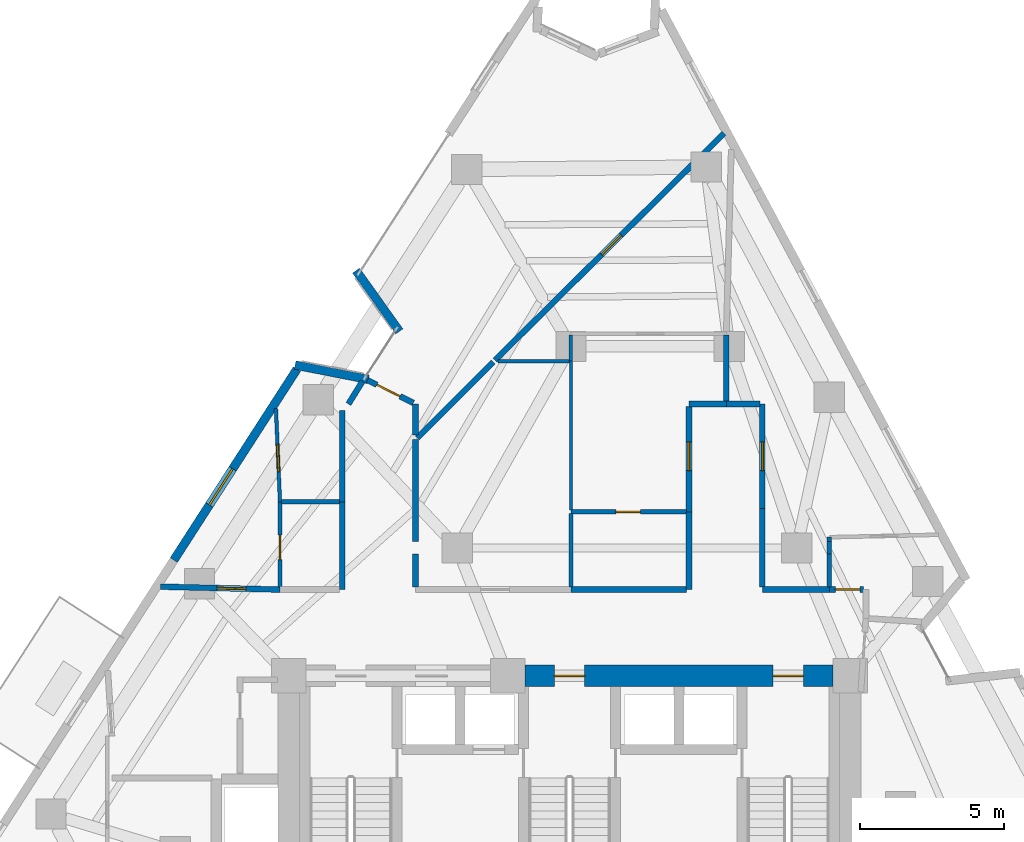
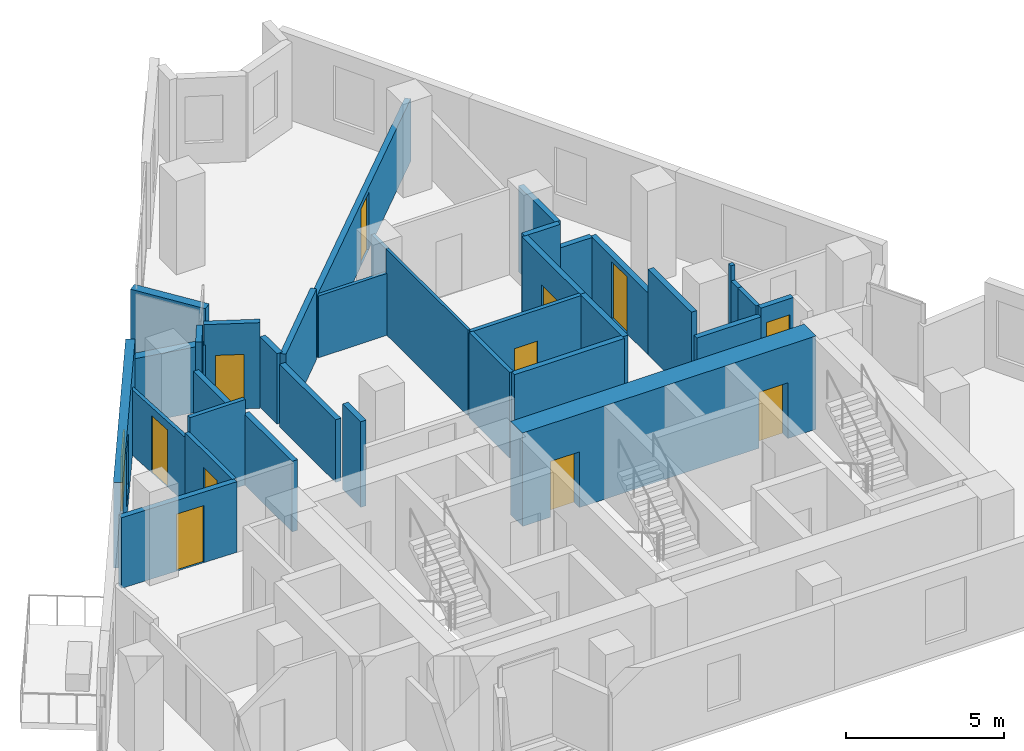
# One storey, part 7 of 11: 35 walls, 11 doors, 1 window, 12 openings.
"""IFC4 building model written with IfcOpenShell, lengths in metres."""

from ifc_helpers import new_model, si_unit, direction, frame, frame_2d, origin, place, context, subcontext, project, spatial, rectangle, extrude, material, layer, layer_set, type_object, element, fill, save


model = new_model("IFC4")

# Units and contexts
model_context = context("Model", 3, precision=1e-05, world=origin(), true_north=direction((0.0, 1.0)))
body_context = subcontext(model_context, "Body", "Model", "MODEL_VIEW")
ifc_project = project(units=[si_unit("LENGTHUNIT", "METRE"), si_unit("AREAUNIT", "SQUARE_METRE"), si_unit("VOLUMEUNIT", "CUBIC_METRE"), si_unit("PLANEANGLEUNIT", "RADIAN"), si_unit("MASSUNIT", "GRAM", prefix="KILO")], contexts=[model_context])

# Site, building, storey
site_placement = place(None, origin())
site = spatial("IfcSite", under=ifc_project, at=site_placement, CompositionType="ELEMENT")
building_placement = place(site_placement, origin())
building = spatial("IfcBuilding", under=site, at=building_placement, Name="Almagre Mirador Tower", CompositionType="ELEMENT")
storey_placement = place(building_placement, frame((0.0, 0.0, 193.199951171875)))
storey = spatial("IfcBuildingStorey", under=building, at=storey_placement, Name="L50", CompositionType="ELEMENT", Elevation=193.199951171875)

# Walls
ifc_material_1 = material(Name="Precast concrete C50/60", Category="concrete")
ifc_layer_1 = layer(ifc_material_1, 0.300048828125)
ifc_layer_set_1 = layer_set([ifc_layer_1], Name="Precast concrete C50/60")
wall_type_1 = type_object("IfcWallType", Name="WAL-EXT-300", PredefinedType="SOLIDWALL", material=ifc_layer_set_1)
wall_1_placement = place(storey_placement, frame((27.7666015625, 25.554931640625, 0.0), z_axis=(0.0, 0.0, 1.0), x_axis=(0.981183938234, -0.193075320412, 0.0)))
element("IfcWall", 1, at=wall_1_placement, inside=storey, type_object=wall_type_1, Name="L50 expressed almagre precast frame wall 01", PredefinedType="SOLIDWALL", context=body_context, shape_type="SweptSolid", body=[
    extrude(rectangle(XDim=2.5947265625, YDim=0.300048828125, at=frame_2d((1.29736328125, 0.0))), origin(), (0.0, 0.0, 1.0), 2.525146484375),
])
wall_2_placement = place(storey_placement, frame((31.38818359375, 26.722900390625, 0.0), z_axis=(0.0, 0.0, 1.0), x_axis=(-0.580409797139, 0.814324546716, 0.0)))
element("IfcWall", 2, at=wall_2_placement, inside=storey, type_object=wall_type_1, Name="L50 expressed almagre precast frame wall 02", PredefinedType="SOLIDWALL", context=body_context, shape_type="SweptSolid", body=[
    extrude(rectangle(XDim=2.59375, YDim=0.300048828125, at=frame_2d((1.296875, 0.0))), origin(), (0.0, 0.0, 1.0), 2.525146484375),
])

# Wall, opening, window
wall_3_placement = place(storey_placement, frame((23.550537109375, 18.7783203125, 0.0), z_axis=(0.0, 0.0, 1.0), x_axis=(0.542022645608, 0.840363880499, 0.0)))
wall_3 = element("IfcWall", 3, at=wall_3_placement, inside=storey, type_object=wall_type_1, Name="L50 expressed almagre precast frame wall 32", PredefinedType="SOLIDWALL", context=body_context, shape_type="SweptSolid", body=[
    extrude(rectangle(XDim=7.89697265625, YDim=0.300048828125, at=frame_2d((3.948486328125, 0.0))), origin(), (0.0, 0.0, 1.0), 3.300048828125),
])
opening_1_placement = place(wall_3_placement, frame((2.27490234375, 0.0, 0.60009765625)))
opening_1 = element("IfcOpeningElement", 4, at=opening_1_placement, cuts=wall_3, Name="Opening WN-03", PredefinedType="OPENING", context=body_context, shape_type="SweptSolid", body=[
    extrude(rectangle(XDim=1.5, YDim=2.10009765625, at=frame_2d((0.75, 1.050048828125))), frame((0.0, 0.159902, 0.0), z_axis=(0.0, -1.0, 0.0), x_axis=(1.0, 0.0, 0.0)), (0.0, 0.0, 1.0), 0.320049),
])
ifc_material_2 = material(Name="Dark solar-control laminated hurricane glass", Category="glass")
window_type = type_object("IfcWindowType", Name="WIN-1500X2100", PartitioningType="DOUBLE_PANEL_VERTICAL", PredefinedType="WINDOW", material=ifc_material_2)
window_placement = place(opening_1_placement, origin())
window = element("IfcWindow", 5, at=window_placement, inside=storey, type_object=window_type, Name="L50 recessed hurricane window L50-UD-ST", OverallHeight=2.10009765625, OverallWidth=1.5, PartitioningType="SINGLE_PANEL", PredefinedType="WINDOW", context=body_context, shape_type="SweptSolid", body=[
    extrude(rectangle(XDim=1.5, YDim=2.10009765625, at=frame_2d((0.75, 1.050048828125))), frame((0.0, 0.030029296875, 0.0), z_axis=(0.0, -1.0, 0.0), x_axis=(1.0, 0.0, 0.0)), (0.0, 0.0, 1.0), 0.06005859375),
])
fill(opening_1, window)

# Wall
ifc_material_3 = material(Name="Gypsum acoustic stud partition", Category="other")
ifc_layer_2 = layer(ifc_material_3, 0.10009765625)
ifc_layer_set_2 = layer_set([ifc_layer_2], Name="Gypsum acoustic stud partition")
wall_type_2 = type_object("IfcWallType", Name="WAL-PRT-100-CLS", PredefinedType="PARTITIONING", material=ifc_layer_set_2)
wall_4_placement = place(storey_placement, frame((37.35009765625, 25.68994140625, 0.0), z_axis=(0.0, 0.0, 1.0), x_axis=(0.0, -1.0, 0.0)))
element("IfcWall", 6, at=wall_4_placement, inside=storey, type_object=wall_type_2, Name="L50 interior partition 044", PredefinedType="PARTITIONING", context=body_context, shape_type="SweptSolid", body=[
    extrude(rectangle(XDim=5.179931640625, YDim=0.10009765625, at=frame_2d((2.58984375, 0.0))), origin(), (0.0, 0.0, 1.0), 3.300048828125),
])

# Wall, opening, door
ifc_material_4 = material(Name="Gypsum acoustic stud partition", Category="other")
ifc_layer_3 = layer(ifc_material_4, 0.125)
ifc_layer_set_3 = layer_set([ifc_layer_3], Name="Gypsum acoustic stud partition")
wall_type_3 = type_object("IfcWallType", Name="WAL-PRT-125-UTL", PredefinedType="PARTITIONING", material=ifc_layer_set_3)
wall_5_placement = place(storey_placement, frame((27.239990234375, 20.800048828125, 0.0), z_axis=(0.0, 0.0, 1.0), x_axis=(-0.043463375339, 0.999055021009, 0.0)))
wall_5 = element("IfcWall", 7, at=wall_5_placement, inside=storey, type_object=wall_type_3, Name="L50 interior partition 039", PredefinedType="PARTITIONING", context=body_context, shape_type="SweptSolid", body=[
    extrude(rectangle(XDim=3.2412109375, YDim=0.125, at=frame_2d((1.62060546875, 0.0))), origin(), (0.0, 0.0, 1.0), 2.52001953125),
])
opening_2_placement = place(wall_5_placement, frame((1.052490234375, 0.0, 0.0)))
opening_2 = element("IfcOpeningElement", 8, at=opening_2_placement, cuts=wall_5, Name="Opening UD-01", PredefinedType="OPENING", context=body_context, shape_type="SweptSolid", body=[
    extrude(rectangle(XDim=0.949951171875, YDim=2.199951171875, at=frame_2d((0.47509765625, 1.10009765625))), frame((0.0, 0.0725, 0.0), z_axis=(0.0, -1.0, 0.0), x_axis=(1.0, 0.0, 0.0)), (0.0, 0.0, 1.0), 0.145),
])
ifc_material_5 = material(Name="Solid American walnut timber", Category="wood")
door_type_1 = type_object("IfcDoorType", Name="DOR-UNR-950X2200", OperationType="NOTDEFINED", PredefinedType="DOOR", material=ifc_material_5)
door_1_placement = place(opening_2_placement, origin())
door_1 = element("IfcDoor", 9, at=door_1_placement, inside=storey, type_object=door_type_1, Name="DR-1579 L50 interior door L50-UD-ST to L50-UD-KT", OperationType="SINGLE_SWING_LEFT", OverallHeight=2.199951171875, OverallWidth=0.949951171875, PredefinedType="DOOR", context=body_context, shape_type="SweptSolid", body=[
    extrude(rectangle(XDim=0.949951171875, YDim=2.199951171875, at=frame_2d((0.47509765625, 1.10009765625))), frame((0.0, 0.02490234375, 0.0), z_axis=(0.0, -1.0, 0.0), x_axis=(1.0, 0.0, 0.0)), (0.0, 0.0, 1.0), 0.050048828125),
])
fill(opening_2, door_1)

# Walls
wall_6_placement = place(storey_placement, frame((37.35009765625, 26.592529296875, 0.0), z_axis=(0.0, 0.0, 1.0), x_axis=(0.0, -1.0, 0.0)))
element("IfcWall", 10, at=wall_6_placement, inside=storey, type_object=wall_type_3, Name="L50 interior partition 043", PredefinedType="PARTITIONING", context=body_context, shape_type="SweptSolid", body=[
    extrude(rectangle(XDim=0.902587890625, YDim=0.125, at=frame_2d((0.451171875, 0.0))), origin(), (0.0, 0.0, 1.0), 3.300048828125),
])
wall_7_placement = place(storey_placement, frame((34.81005859375, 25.68994140625, 0.0), z_axis=(0.0, 0.0, 1.0), x_axis=(1.0, 0.0, 0.0)))
element("IfcWall", 11, at=wall_7_placement, inside=storey, type_object=wall_type_3, Name="L50 interior partition 047", PredefinedType="PARTITIONING", context=body_context, shape_type="SweptSolid", body=[
    extrude(rectangle(XDim=2.492431640625, YDim=0.125, at=frame_2d((1.24609375, 0.0))), origin(), (0.0, 0.0, 1.0), 2.385986328125),
])

# Wall, opening, door
ifc_material_6 = material(Name="Gypsum acoustic stud partition", Category="other")
ifc_layer_4 = layer(ifc_material_6, 0.14990234375)
ifc_layer_set_4 = layer_set([ifc_layer_4], Name="Gypsum acoustic stud partition")
wall_type_4 = type_object("IfcWallType", Name="WAL-PRT-150-STD", PredefinedType="PARTITIONING", material=ifc_layer_set_4)
wall_8_placement = place(storey_placement, frame((27.239990234375, 17.8349609375, 0.0), z_axis=(0.0, 0.0, 1.0), x_axis=(0.0, 1.0, 0.0)))
wall_8 = element("IfcWall", 12, at=wall_8_placement, inside=storey, type_object=wall_type_4, Name="L50 interior partition 038", PredefinedType="PARTITIONING", context=body_context, shape_type="SweptSolid", body=[
    extrude(rectangle(XDim=2.965087890625, YDim=0.14990234375, at=frame_2d((1.482421875, 0.0))), origin(), (0.0, 0.0, 1.0), 2.720947265625),
])
opening_3_placement = place(wall_8_placement, frame((0.95849609375, 0.0, 0.0)))
opening_3 = element("IfcOpeningElement", 13, at=opening_3_placement, cuts=wall_8, Name="Opening UD-04", PredefinedType="OPENING", context=body_context, shape_type="SweptSolid", body=[
    extrude(rectangle(XDim=0.85009765625, YDim=2.10009765625, at=frame_2d((0.425048828125, 1.050048828125))), frame((0.0, 0.084951, 0.0), z_axis=(0.0, -1.0, 0.0), x_axis=(1.0, 0.0, 0.0)), (0.0, 0.0, 1.0), 0.169902),
])
ifc_material_7 = material(Name="Moisture-resistant oak timber", Category="wood")
door_type_2 = type_object("IfcDoorType", Name="DOR-UNR-850X2100", OperationType="NOTDEFINED", PredefinedType="DOOR", material=ifc_material_7)
door_2_placement = place(opening_3_placement, origin())
door_2 = element("IfcDoor", 14, at=door_2_placement, inside=storey, type_object=door_type_2, Name="DR-1580 L50 interior door L50-UD-ST to L50-UD-BT", OperationType="SINGLE_SWING_RIGHT", OverallHeight=2.10009765625, OverallWidth=0.85009765625, PredefinedType="DOOR", context=body_context, shape_type="SweptSolid", body=[
    extrude(rectangle(XDim=0.85009765625, YDim=2.10009765625, at=frame_2d((0.425048828125, 1.050048828125))), frame((0.0, 0.02490234375, 0.0), z_axis=(0.0, -1.0, 0.0), x_axis=(1.0, 0.0, 0.0)), (0.0, 0.0, 1.0), 0.050048828125),
])
fill(opening_3, door_2)

# Wall
wall_9_placement = place(storey_placement, frame((29.31494140625, 20.800048828125, 0.0), z_axis=(0.0, 0.0, 1.0), x_axis=(-1.0, 0.0, 0.0)))
element("IfcWall", 15, at=wall_9_placement, inside=storey, type_object=wall_type_4, Name="L50 interior partition 040", PredefinedType="PARTITIONING", context=body_context, shape_type="SweptSolid", body=[
    extrude(rectangle(XDim=2.014892578125, YDim=0.14990234375, at=frame_2d((1.00732421875, 0.0))), origin(), (0.0, 0.0, 1.0), 3.300048828125),
])

# Wall, opening, door
wall_10_placement = place(storey_placement, frame((37.35009765625, 20.449951171875, 0.0), z_axis=(0.0, 0.0, 1.0), x_axis=(1.0, 0.0, 0.0)))
wall_10 = element("IfcWall", 16, at=wall_10_placement, inside=storey, type_object=wall_type_4, Name="L50 interior partition 041", PredefinedType="PARTITIONING", context=body_context, shape_type="SweptSolid", body=[
    extrude(rectangle(XDim=4.014892578125, YDim=0.14990234375, at=frame_2d((2.00732421875, 0.0))), origin(), (0.0, 0.0, 1.0), 3.300048828125),
])
opening_4_placement = place(wall_10_placement, frame((1.565673828125, 0.0, 0.0)))
opening_4 = element("IfcOpeningElement", 17, at=opening_4_placement, cuts=wall_10, Name="Opening UD-04", PredefinedType="OPENING", context=body_context, shape_type="SweptSolid", body=[
    extrude(rectangle(XDim=0.85009765625, YDim=2.10009765625, at=frame_2d((0.425048828125, 1.050048828125))), frame((0.0, 0.084951, 0.0), z_axis=(0.0, -1.0, 0.0), x_axis=(1.0, 0.0, 0.0)), (0.0, 0.0, 1.0), 0.169902),
])
door_3_placement = place(opening_4_placement, origin())
door_3 = element("IfcDoor", 18, at=door_3_placement, inside=storey, type_object=door_type_2, Name="DR-1583 L50 interior door L50-UE-ST to L50-UE-HB", OperationType="SINGLE_SWING_LEFT", OverallHeight=2.10009765625, OverallWidth=0.85009765625, PredefinedType="DOOR", context=body_context, shape_type="SweptSolid", body=[
    extrude(rectangle(XDim=0.85009765625, YDim=2.10009765625, at=frame_2d((0.425048828125, 1.050048828125))), frame((0.0, 0.02490234375, 0.0), z_axis=(0.0, -1.0, 0.0), x_axis=(1.0, 0.0, 0.0)), (0.0, 0.0, 1.0), 0.050048828125),
])
fill(opening_4, door_3)

# Walls
wall_11_placement = place(storey_placement, frame((37.35009765625, 20.389892578125, 0.0), z_axis=(0.0, 0.0, 1.0), x_axis=(0.0, -1.0, 0.0)))
element("IfcWall", 19, at=wall_11_placement, inside=storey, type_object=wall_type_4, Name="L50 interior partition 046", PredefinedType="PARTITIONING", context=body_context, shape_type="SweptSolid", body=[
    extrude(rectangle(XDim=2.554931640625, YDim=0.14990234375, at=frame_2d((1.27734375, 0.0))), origin(), (0.0, 0.0, 1.0), 3.300048828125),
])
wall_12_placement = place(storey_placement, frame((46.330078125, 18.97998046875, 0.0), z_axis=(0.0, 0.0, 1.0), x_axis=(0.0, -1.0, 0.0)))
element("IfcWall", 20, at=wall_12_placement, inside=storey, type_object=wall_type_4, Name="L50 interior partition 054", PredefinedType="PARTITIONING", context=body_context, shape_type="SweptSolid", body=[
    extrude(rectangle(XDim=1.14501953125, YDim=0.14990234375, at=frame_2d((0.572509765625, 0.0))), origin(), (0.0, 0.0, 1.0), 2.720947265625),
])
wall_13_placement = place(storey_placement, frame((46.330078125, 19.570068359375, 0.0), z_axis=(0.0, 0.0, 1.0), x_axis=(0.0, -1.0, 0.0)))
element("IfcWall", 21, at=wall_13_placement, inside=storey, type_object=wall_type_4, Name="L50 interior partition 055", PredefinedType="PARTITIONING", context=body_context, shape_type="SweptSolid", body=[
    extrude(rectangle(XDim=0.150146484375, YDim=0.14990234375, at=frame_2d((0.0751953125, 0.0))), origin(), (0.0, 0.0, 1.0), 3.300048828125),
])
wall_14_placement = place(storey_placement, frame((46.330078125, 19.419921875, 0.0), z_axis=(0.0, 0.0, 1.0), x_axis=(0.0, -1.0, 0.0)))
element("IfcWall", 22, at=wall_14_placement, inside=storey, type_object=wall_type_4, Name="L50 interior partition 058", PredefinedType="PARTITIONING", context=body_context, shape_type="SweptSolid", body=[
    extrude(rectangle(XDim=0.43994140625, YDim=0.14990234375, at=frame_2d((0.219970703125, 0.0))), origin(), (0.0, 0.0, 1.0), 2.720947265625),
])

# Wall, opening, door
ifc_material_8 = material(Name="Gypsum acoustic stud partition", Category="other")
ifc_layer_5 = layer(ifc_material_8, 0.199951171875)
ifc_layer_set_5 = layer_set([ifc_layer_5], Name="Gypsum acoustic stud partition")
wall_type_5 = type_object("IfcWallType", Name="WAL-PRT-200-EI60", PredefinedType="PARTITIONING", material=ifc_layer_set_5)
wall_15_placement = place(storey_placement, frame((27.239990234375, 17.75, 0.0), z_axis=(0.0, 0.0, 1.0), x_axis=(-0.999703110384, 0.024365776975, 0.0)))
wall_15 = element("IfcWall", 23, at=wall_15_placement, inside=storey, type_object=wall_type_5, Name="L50 interior partition 005", PredefinedType="PARTITIONING", context=body_context, shape_type="SweptSolid", body=[
    extrude(rectangle(XDim=4.148193359375, YDim=0.199951171875, at=frame_2d((2.07421875, 0.0))), origin(), (0.0, 0.0, 1.0), 2.720947265625),
])
opening_5_placement = place(wall_15_placement, frame((1.186279296875, 0.0, 0.0)))
opening_5 = element("IfcOpeningElement", 24, at=opening_5_placement, cuts=wall_15, Name="Opening ID-01", PredefinedType="OPENING", context=body_context, shape_type="SweptSolid", body=[
    extrude(rectangle(XDim=1.0, YDim=2.199951171875, at=frame_2d((0.5, 1.10009765625))), frame((0.0, 0.110098, 0.0), z_axis=(0.0, -1.0, 0.0), x_axis=(1.0, 0.0, 0.0)), (0.0, 0.0, 1.0), 0.219951),
])
ifc_material_9 = material(Name="Fire-rated walnut timber", Category="wood")
door_type_3 = type_object("IfcDoorType", Name="DOR-FD60-1000X2200", OperationType="NOTDEFINED", PredefinedType="DOOR", material=ifc_material_9)
door_4_placement = place(opening_5_placement, origin())
door_4 = element("IfcDoor", 25, at=door_4_placement, inside=storey, type_object=door_type_3, Name="DR-1578 L50 interior door L50-RCOR to L50-UD-ST", OperationType="SINGLE_SWING_RIGHT", OverallHeight=2.199951171875, OverallWidth=1.0, PredefinedType="DOOR", context=body_context, shape_type="SweptSolid", body=[
    extrude(rectangle(XDim=1.0, YDim=2.199951171875, at=frame_2d((0.5, 1.10009765625))), frame((0.0, 0.02490234375, 0.0), z_axis=(0.0, -1.0, 0.0), x_axis=(1.0, 0.0, 0.0)), (0.0, 0.0, 1.0), 0.050048828125),
])
fill(opening_5, door_4)

# Walls
wall_16_placement = place(storey_placement, frame((29.39990234375, 20.800048828125, 0.0), z_axis=(0.0, 0.0, 1.0), x_axis=(0.0, -1.0, 0.0)))
element("IfcWall", 26, at=wall_16_placement, inside=storey, type_object=wall_type_5, Name="L50 interior partition 006", PredefinedType="PARTITIONING", context=body_context, shape_type="SweptSolid", body=[
    extrude(rectangle(XDim=3.050048828125, YDim=0.199951171875, at=frame_2d((1.52490234375, 0.0))), origin(), (0.0, 0.0, 1.0), 2.720947265625),
])
wall_17_placement = place(storey_placement, frame((29.39990234375, 23.97998046875, 0.0), z_axis=(0.0, 0.0, 1.0), x_axis=(0.0, -1.0, 0.0)))
element("IfcWall", 27, at=wall_17_placement, inside=storey, type_object=wall_type_5, Name="L50 interior partition 008", PredefinedType="PARTITIONING", context=body_context, shape_type="SweptSolid", body=[
    extrude(rectangle(XDim=3.179931640625, YDim=0.199951171875, at=frame_2d((1.58984375, 0.0))), origin(), (0.0, 0.0, 1.0), 2.4140625),
])
wall_18_placement = place(storey_placement, frame((30.10693359375, 24.986083984375, 0.0), z_axis=(0.0, 0.0, 1.0), x_axis=(-0.526481863985, -0.850186360097, 0.0)))
element("IfcWall", 28, at=wall_18_placement, inside=storey, type_object=wall_type_5, Name="L50 interior partition 009", PredefinedType="PARTITIONING", context=body_context, shape_type="SweptSolid", body=[
    extrude(rectangle(XDim=0.924560546875, YDim=0.199951171875, at=frame_2d((0.46240234375, 0.0))), origin(), (0.0, 0.0, 1.0), 3.300048828125),
])
wall_19_placement = place(storey_placement, frame((42.75, 24.199951171875, 0.0), z_axis=(0.0, 0.0, 1.0), x_axis=(-1.0, 0.0, 0.0)))
element("IfcWall", 29, at=wall_19_placement, inside=storey, type_object=wall_type_5, Name="L50 interior partition 010", PredefinedType="PARTITIONING", context=body_context, shape_type="SweptSolid", body=[
    extrude(rectangle(XDim=1.300048828125, YDim=0.199951171875, at=frame_2d((0.64990234375, 0.0))), origin(), (0.0, 0.0, 1.0), 3.300048828125),
])

# Wall, opening, door
wall_20_placement = place(storey_placement, frame((41.449951171875, 24.114990234375, 0.0), z_axis=(0.0, 0.0, 1.0), x_axis=(0.0, -1.0, 0.0)))
wall_20 = element("IfcWall", 30, at=wall_20_placement, inside=storey, type_object=wall_type_5, Name="L50 interior partition 011", PredefinedType="PARTITIONING", context=body_context, shape_type="SweptSolid", body=[
    extrude(rectangle(XDim=3.6650390625, YDim=0.199951171875, at=frame_2d((1.83251953125, 0.0))), origin(), (0.0, 0.0, 1.0), 3.300048828125),
])
opening_6_placement = place(wall_20_placement, frame((1.231201171875, 0.0, 0.0)))
opening_6 = element("IfcOpeningElement", 31, at=opening_6_placement, cuts=wall_20, Name="Opening ID-01", PredefinedType="OPENING", context=body_context, shape_type="SweptSolid", body=[
    extrude(rectangle(XDim=1.0, YDim=2.199951171875, at=frame_2d((0.5, 1.10009765625))), frame((0.0, 0.110098, 0.0), z_axis=(0.0, -1.0, 0.0), x_axis=(1.0, 0.0, 0.0)), (0.0, 0.0, 1.0), 0.219951),
])
door_5_placement = place(opening_6_placement, origin())
door_5 = element("IfcDoor", 32, at=door_5_placement, inside=storey, type_object=door_type_3, Name="DR-1581 L50 interior door L50-RCOR to L50-UE-ST", OperationType="SINGLE_SWING_LEFT", OverallHeight=2.199951171875, OverallWidth=1.0, PredefinedType="DOOR", context=body_context, shape_type="SweptSolid", body=[
    extrude(rectangle(XDim=1.0, YDim=2.199951171875, at=frame_2d((0.5, 1.10009765625))), frame((0.0, 0.02490234375, 0.0), z_axis=(0.0, -1.0, 0.0), x_axis=(1.0, 0.0, 0.0)), (0.0, 0.0, 1.0), 0.050048828125),
])
fill(opening_6, door_5)

# Walls
wall_21_placement = place(storey_placement, frame((41.449951171875, 20.449951171875, 0.0), z_axis=(0.0, 0.0, 1.0), x_axis=(0.0, -1.0, 0.0)))
element("IfcWall", 33, at=wall_21_placement, inside=storey, type_object=wall_type_5, Name="L50 interior partition 012", PredefinedType="PARTITIONING", context=body_context, shape_type="SweptSolid", body=[
    extrude(rectangle(XDim=2.699951171875, YDim=0.199951171875, at=frame_2d((1.35009765625, 0.0))), origin(), (0.0, 0.0, 1.0), 3.300048828125),
])
wall_22_placement = place(storey_placement, frame((41.364990234375, 17.75, 0.0), z_axis=(0.0, 0.0, 1.0), x_axis=(-1.0, 0.0, 0.0)))
element("IfcWall", 34, at=wall_22_placement, inside=storey, type_object=wall_type_5, Name="L50 interior partition 013", PredefinedType="PARTITIONING", context=body_context, shape_type="SweptSolid", body=[
    extrude(rectangle(XDim=4.014892578125, YDim=0.199951171875, at=frame_2d((2.00732421875, 0.0))), origin(), (0.0, 0.0, 1.0), 3.300048828125),
])
wall_23_placement = place(storey_placement, frame((31.949951171875, 17.8349609375, 0.0), z_axis=(0.0, 0.0, 1.0), x_axis=(0.0, 1.0, 0.0)))
element("IfcWall", 35, at=wall_23_placement, inside=storey, type_object=wall_type_5, Name="L50 interior partition 015", PredefinedType="PARTITIONING", context=body_context, shape_type="SweptSolid", body=[
    extrude(rectangle(XDim=1.14501953125, YDim=0.199951171875, at=frame_2d((0.572509765625, 0.0))), origin(), (0.0, 0.0, 1.0), 3.300048828125),
])
wall_24_placement = place(storey_placement, frame((31.949951171875, 19.419921875, 0.0), z_axis=(0.0, 0.0, 1.0), x_axis=(0.0, 1.0, 0.0)))
element("IfcWall", 36, at=wall_24_placement, inside=storey, type_object=wall_type_5, Name="L50 interior partition 016", PredefinedType="PARTITIONING", context=body_context, shape_type="SweptSolid", body=[
    extrude(rectangle(XDim=3.5400390625, YDim=0.199951171875, at=frame_2d((1.77001953125, 0.0))), origin(), (0.0, 0.0, 1.0), 2.4140625),
])

# Wall, opening, door
wall_25_placement = place(storey_placement, frame((44.0, 20.570068359375, 0.0), z_axis=(0.0, 0.0, 1.0), x_axis=(0.0, 1.0, 0.0)))
wall_25 = element("IfcWall", 37, at=wall_25_placement, inside=storey, type_object=wall_type_5, Name="L50 interior partition 017", PredefinedType="PARTITIONING", context=body_context, shape_type="SweptSolid", body=[
    extrude(rectangle(XDim=3.6298828125, YDim=0.199951171875, at=frame_2d((1.81494140625, 0.0))), origin(), (0.0, 0.0, 1.0), 2.385986328125),
])
opening_7_placement = place(wall_25_placement, frame((1.31494140625, 0.0, 0.0)))
opening_7 = element("IfcOpeningElement", 38, at=opening_7_placement, cuts=wall_25, Name="Opening ID-01", PredefinedType="OPENING", context=body_context, shape_type="SweptSolid", body=[
    extrude(rectangle(XDim=1.0, YDim=2.199951171875, at=frame_2d((0.5, 1.10009765625))), frame((0.0, 0.110098, 0.0), z_axis=(0.0, -1.0, 0.0), x_axis=(1.0, 0.0, 0.0)), (0.0, 0.0, 1.0), 0.219951),
])
door_6_placement = place(opening_7_placement, origin())
door_6 = element("IfcDoor", 39, at=door_6_placement, inside=storey, type_object=door_type_3, Name="DR-1584 L50 interior door L50-RCOR to L50-UF-ST", OperationType="SINGLE_SWING_RIGHT", OverallHeight=2.199951171875, OverallWidth=1.0, PredefinedType="DOOR", context=body_context, shape_type="SweptSolid", body=[
    extrude(rectangle(XDim=1.0, YDim=2.199951171875, at=frame_2d((0.5, 1.10009765625))), frame((0.0, 0.02490234375, 0.0), z_axis=(0.0, -1.0, 0.0), x_axis=(1.0, 0.0, 0.0)), (0.0, 0.0, 1.0), 0.050048828125),
])
fill(opening_7, door_6)

# Wall
wall_26_placement = place(storey_placement, frame((43.9150390625, 24.199951171875, 0.0), z_axis=(0.0, 0.0, 1.0), x_axis=(-1.0, 0.0, 0.0)))
element("IfcWall", 40, at=wall_26_placement, inside=storey, type_object=wall_type_5, Name="L50 interior partition 018", PredefinedType="PARTITIONING", context=body_context, shape_type="SweptSolid", body=[
    extrude(rectangle(XDim=1.1650390625, YDim=0.199951171875, at=frame_2d((0.58251953125, 0.0))), origin(), (0.0, 0.0, 1.0), 2.385986328125),
])

# Wall, opening, door
wall_27_placement = place(storey_placement, frame((47.514892578125, 17.75, 0.0), z_axis=(0.0, 0.0, 1.0), x_axis=(-1.0, 0.0, 0.0)))
wall_27 = element("IfcWall", 41, at=wall_27_placement, inside=storey, type_object=wall_type_5, Name="L50 interior partition 020", PredefinedType="PARTITIONING", context=body_context, shape_type="SweptSolid", body=[
    extrude(rectangle(XDim=1.184814453125, YDim=0.199951171875, at=frame_2d((0.59228515625, 0.0))), origin(), (0.0, 0.0, 1.0), 2.720947265625),
])
opening_8_placement = place(wall_27_placement, frame((0.125, 0.0, 0.0)))
opening_8 = element("IfcOpeningElement", 42, at=opening_8_placement, cuts=wall_27, Name="Opening ID-06", PredefinedType="OPENING", context=body_context, shape_type="SweptSolid", body=[
    extrude(rectangle(XDim=0.85009765625, YDim=2.10009765625, at=frame_2d((0.425048828125, 1.050048828125))), frame((0.0, 0.110098, 0.0), z_axis=(0.0, -1.0, 0.0), x_axis=(1.0, 0.0, 0.0)), (0.0, 0.0, 1.0), 0.219951),
])
ifc_material_10 = material(Name="Fire-rated hollow steel", Category="steel")
door_type_4 = type_object("IfcDoorType", Name="DOR-FD60-850X2100", OperationType="NOTDEFINED", PredefinedType="DOOR", material=ifc_material_10)
door_7_placement = place(opening_8_placement, origin())
door_7 = element("IfcDoor", 43, at=door_7_placement, inside=storey, type_object=door_type_4, Name="DR-1587 L50 interior door L50-RCOR to L50-UF-KT", OperationType="SINGLE_SWING_RIGHT", OverallHeight=2.10009765625, OverallWidth=0.85009765625, PredefinedType="DOOR", context=body_context, shape_type="SweptSolid", body=[
    extrude(rectangle(XDim=0.85009765625, YDim=2.10009765625, at=frame_2d((0.425048828125, 1.050048828125))), frame((0.0, 0.02490234375, 0.0), z_axis=(0.0, -1.0, 0.0), x_axis=(1.0, 0.0, 0.0)), (0.0, 0.0, 1.0), 0.050048828125),
])
fill(opening_8, door_7)

# Walls
wall_28_placement = place(storey_placement, frame((46.330078125, 17.75, 0.0), z_axis=(0.0, 0.0, 1.0), x_axis=(-1.0, 0.0, 0.0)))
element("IfcWall", 44, at=wall_28_placement, inside=storey, type_object=wall_type_5, Name="L50 interior partition 021", PredefinedType="PARTITIONING", context=body_context, shape_type="SweptSolid", body=[
    extrude(rectangle(XDim=2.330078125, YDim=0.199951171875, at=frame_2d((1.1650390625, 0.0))), origin(), (0.0, 0.0, 1.0), 2.385986328125),
])
wall_29_placement = place(storey_placement, frame((31.949951171875, 23.1201171875, 0.0), z_axis=(0.0, 0.0, 1.0), x_axis=(0.0, 1.0, 0.0)))
element("IfcWall", 45, at=wall_29_placement, inside=storey, type_object=wall_type_5, Name="L50 interior partition 023", PredefinedType="PARTITIONING", context=body_context, shape_type="SweptSolid", body=[
    extrude(rectangle(XDim=1.079833984375, YDim=0.199951171875, at=frame_2d((0.5400390625, 0.0))), origin(), (0.0, 0.0, 1.0), 2.720947265625),
])

# Wall, opening, door
wall_30_placement = place(storey_placement, frame((31.873779296875, 24.23779296875, 0.0), z_axis=(0.0, 0.0, 1.0), x_axis=(-0.895738971374, 0.444580358497, 0.0)))
wall_30 = element("IfcWall", 46, at=wall_30_placement, inside=storey, type_object=wall_type_5, Name="L50 interior partition 024", PredefinedType="PARTITIONING", context=body_context, shape_type="SweptSolid", body=[
    extrude(rectangle(XDim=1.781494140625, YDim=0.199951171875, at=frame_2d((0.890625, 0.0))), origin(), (0.0, 0.0, 1.0), 3.300048828125),
])
opening_9_placement = place(wall_30_placement, frame((0.51318359375, 0.0, 0.0)))
opening_9 = element("IfcOpeningElement", 47, at=opening_9_placement, cuts=wall_30, Name="Opening ID-03", PredefinedType="OPENING", context=body_context, shape_type="SweptSolid", body=[
    extrude(rectangle(XDim=0.89990234375, YDim=2.10009765625, at=frame_2d((0.449951171875, 1.050048828125))), frame((0.0, 0.110098, 0.0), z_axis=(0.0, -1.0, 0.0), x_axis=(1.0, 0.0, 0.0)), (0.0, 0.0, 1.0), 0.219951),
])
ifc_material_11 = material(Name="Fire-rated hollow steel", Category="steel")
door_type_5 = type_object("IfcDoorType", Name="DOR-FD60-900X2100", OperationType="NOTDEFINED", PredefinedType="DOOR", material=ifc_material_11)
door_8_placement = place(opening_9_placement, origin())
door_8 = element("IfcDoor", 48, at=door_8_placement, inside=storey, type_object=door_type_5, Name="DR-1573 L50 interior door L50-RCOR to L50-RST-G", OperationType="SINGLE_SWING_RIGHT", OverallHeight=2.10009765625, OverallWidth=0.89990234375, PredefinedType="DOOR", context=body_context, shape_type="SweptSolid", body=[
    extrude(rectangle(XDim=0.89990234375, YDim=2.10009765625, at=frame_2d((0.449951171875, 1.050048828125))), frame((0.0, 0.02490234375, 0.0), z_axis=(0.0, -1.0, 0.0), x_axis=(1.0, 0.0, 0.0)), (0.0, 0.0, 1.0), 0.050048828125),
])
fill(opening_9, door_8)

# Wall
wall_31_placement = place(storey_placement, frame((42.75, 24.284912109375, 0.0), z_axis=(0.0, 0.0, 1.0), x_axis=(0.0, 1.0, 0.0)))
element("IfcWall", 49, at=wall_31_placement, inside=storey, type_object=wall_type_5, Name="L50 interior partition 045", PredefinedType="PARTITIONING", context=body_context, shape_type="SweptSolid", body=[
    extrude(rectangle(XDim=2.3076171875, YDim=0.199951171875, at=frame_2d((1.15380859375, 0.0))), origin(), (0.0, 0.0, 1.0), 3.300048828125),
])

# Wall, opening, door
wall_32_placement = place(storey_placement, frame((42.674072265625, 33.611083984375, 0.0), z_axis=(0.0, 0.0, 1.0), x_axis=(-0.710345403642, -0.703853257096, 0.0)))
wall_32 = element("IfcWall", 50, at=wall_32_placement, inside=storey, type_object=wall_type_5, Name="L50 interior partition 049", PredefinedType="PARTITIONING", context=body_context, shape_type="SweptSolid", body=[
    extrude(rectangle(XDim=11.20654296875, YDim=0.199951171875, at=frame_2d((5.603271484375, 0.0))), origin(), (0.0, 0.0, 1.0), 2.4140625),
])
opening_10_placement = place(wall_32_placement, frame((5.043212890625, 0.0, 0.0)))
opening_10 = element("IfcOpeningElement", 51, at=opening_10_placement, cuts=wall_32, Name="Opening UD-01", PredefinedType="OPENING", context=body_context, shape_type="SweptSolid", body=[
    extrude(rectangle(XDim=0.949951171875, YDim=2.199951171875, at=frame_2d((0.47509765625, 1.10009765625))), frame((0.0, 0.110098, 0.0), z_axis=(0.0, -1.0, 0.0), x_axis=(1.0, 0.0, 0.0)), (0.0, 0.0, 1.0), 0.219951),
])
door_9_placement = place(opening_10_placement, origin())
door_9 = element("IfcDoor", 52, at=door_9_placement, inside=storey, type_object=door_type_1, Name="DR-1588 L50 interior door L50-RST-G to L50-UE-KT", OperationType="SINGLE_SWING_RIGHT", OverallHeight=2.199951171875, OverallWidth=0.949951171875, PredefinedType="DOOR", context=body_context, shape_type="SweptSolid", body=[
    extrude(rectangle(XDim=0.949951171875, YDim=2.199951171875, at=frame_2d((0.47509765625, 1.10009765625))), frame((0.0, 0.02490234375, 0.0), z_axis=(0.0, -1.0, 0.0), x_axis=(1.0, 0.0, 0.0)), (0.0, 0.0, 1.0), 0.050048828125),
])
fill(opening_10, door_9)

# Walls
wall_33_placement = place(storey_placement, frame((34.646484375, 25.656494140625, 0.0), z_axis=(0.0, 0.0, 1.0), x_axis=(-0.707106781187, -0.707106781187, 0.0)))
element("IfcWall", 53, at=wall_33_placement, inside=storey, type_object=wall_type_5, Name="L50 interior partition 050", PredefinedType="PARTITIONING", context=body_context, shape_type="SweptSolid", body=[
    extrude(rectangle(XDim=3.728515625, YDim=0.199951171875, at=frame_2d((1.8642578125, 0.0))), origin(), (0.0, 0.0, 1.0), 2.720947265625),
])
wall_34_placement = place(storey_placement, frame((44.0, 17.8349609375, 0.0), z_axis=(0.0, 0.0, 1.0), x_axis=(0.0, 1.0, 0.0)))
element("IfcWall", 54, at=wall_34_placement, inside=storey, type_object=wall_type_5, Name="L50 interior partition 056", PredefinedType="PARTITIONING", context=body_context, shape_type="SweptSolid", body=[
    extrude(rectangle(XDim=2.735107421875, YDim=0.199951171875, at=frame_2d((1.36767578125, 0.0))), origin(), (0.0, 0.0, 1.0), 3.300048828125),
])

# Wall, openings, doors
ifc_material_12 = material(Name="Concrete C60/75", Category="concrete")
ifc_layer_6 = layer(ifc_material_12, 0.75)
ifc_layer_set_6 = layer_set([ifc_layer_6], Name="Concrete C60/75")
wall_type_6 = type_object("IfcWallType", Name="WAL-SHR-750", PredefinedType="SHEAR", material=ifc_layer_set_6)
wall_35_placement = place(storey_placement, frame((35.75, 14.75, 0.0), z_axis=(0.0, 0.0, 1.0), x_axis=(1.0, 0.0, 0.0)))
wall_35 = element("IfcWall", 55, at=wall_35_placement, inside=storey, type_object=wall_type_6, Name="L50 core shear wall N2", PredefinedType="SHEAR", context=body_context, shape_type="SweptSolid", body=[
    extrude(rectangle(XDim=10.699951171875, YDim=0.75, at=frame_2d((5.35009765625, 0.0))), origin(), (0.0, 0.0, 1.0), 3.60009765625),
])
opening_11_placement = place(wall_35_placement, frame((1.02490234375, 0.0, 0.0)))
opening_11 = element("IfcOpeningElement", 56, at=opening_11_placement, cuts=wall_35, Name="Opening SD-01", PredefinedType="OPENING", context=body_context, shape_type="SweptSolid", body=[
    extrude(rectangle(XDim=1.050048828125, YDim=2.14990234375, at=frame_2d((0.52490234375, 1.074951171875))), frame((0.0, 0.385, 0.0), z_axis=(0.0, -1.0, 0.0), x_axis=(1.0, 0.0, 0.0)), (0.0, 0.0, 1.0), 0.77),
])
opening_12_placement = place(wall_35_placement, frame((8.625, 0.0, 0.0)))
opening_12 = element("IfcOpeningElement", 57, at=opening_12_placement, cuts=wall_35, Name="Opening SD-01", PredefinedType="OPENING", context=body_context, shape_type="SweptSolid", body=[
    extrude(rectangle(XDim=1.050048828125, YDim=2.14990234375, at=frame_2d((0.52490234375, 1.074951171875))), frame((0.0, 0.385, 0.0), z_axis=(0.0, -1.0, 0.0), x_axis=(1.0, 0.0, 0.0)), (0.0, 0.0, 1.0), 0.77),
])
ifc_material_13 = material(Name="Fire-rated hollow steel", Category="steel")
door_type_6 = type_object("IfcDoorType", Name="DOR-ST-1050X2150", OperationType="NOTDEFINED", PredefinedType="DOOR", material=ifc_material_13)
door_10_placement = place(opening_11_placement, origin())
door_10 = element("IfcDoor", 58, at=door_10_placement, inside=storey, type_object=door_type_6, Name="DR-1594 L50 protected exit stair ST-2 door", OperationType="SINGLE_SWING_RIGHT", OverallHeight=2.14990234375, OverallWidth=1.050048828125, PredefinedType="DOOR", context=body_context, shape_type="SweptSolid", body=[
    extrude(rectangle(XDim=1.050048828125, YDim=2.14990234375, at=frame_2d((0.52490234375, 1.074951171875))), frame((0.0, 0.02490234375, 0.0), z_axis=(0.0, -1.0, 0.0), x_axis=(1.0, 0.0, 0.0)), (0.0, 0.0, 1.0), 0.050048828125),
])
fill(opening_11, door_10)
door_11_placement = place(opening_12_placement, origin())
door_11 = element("IfcDoor", 59, at=door_11_placement, inside=storey, type_object=door_type_6, Name="DR-1595 L50 protected exit stair ST-3 door", OperationType="SINGLE_SWING_LEFT", OverallHeight=2.14990234375, OverallWidth=1.050048828125, PredefinedType="DOOR", context=body_context, shape_type="SweptSolid", body=[
    extrude(rectangle(XDim=1.050048828125, YDim=2.14990234375, at=frame_2d((0.52490234375, 1.074951171875))), frame((0.0, 0.02490234375, 0.0), z_axis=(0.0, -1.0, 0.0), x_axis=(1.0, 0.0, 0.0)), (0.0, 0.0, 1.0), 0.050048828125),
])
fill(opening_12, door_11)

save(model, "model.ifc")
